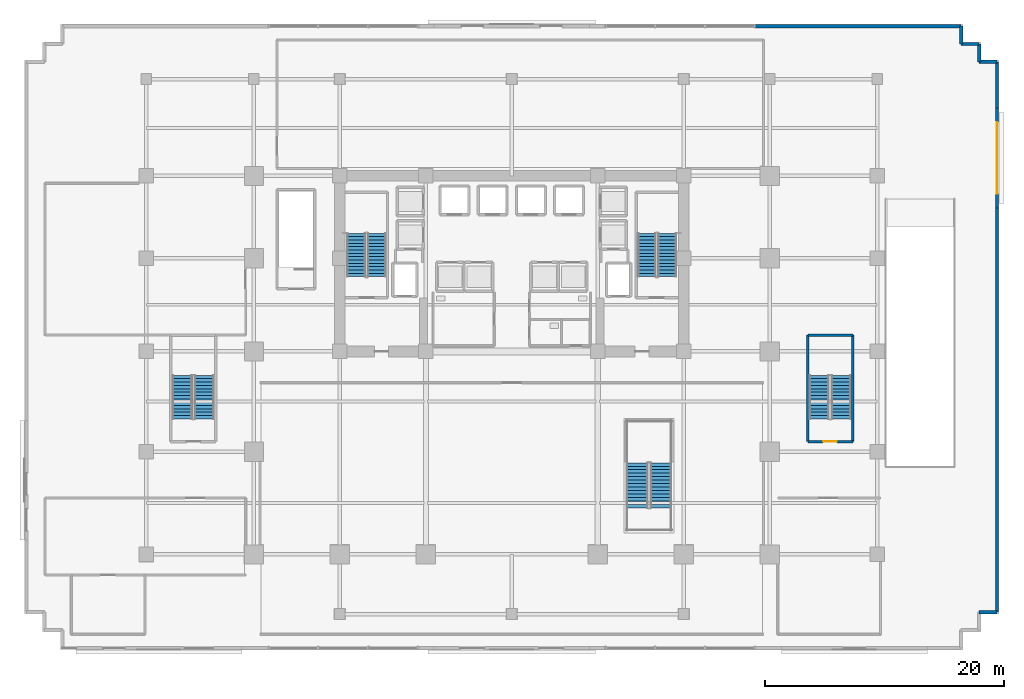
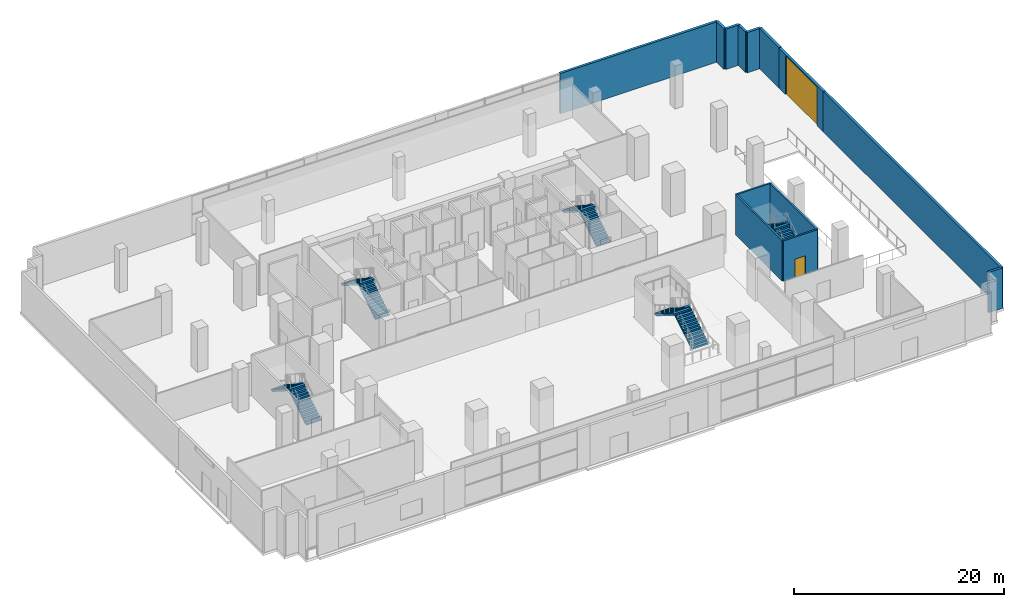
# One storey, part 17 of 27: 13 walls, 10 stair flights, 2 doors, 2 openings, 5 elements without a shape of their own.
"""IFC4 building model written with IfcOpenShell, lengths in metres."""

from ifc_helpers import new_model, si_unit, direction, frame, frame_2d, origin, place, context, subcontext, project, spatial, polyline, rectangle, outline, extrude, source, transform, mapped, material, layer, layer_set, type_object, element, fill, aggregate, save


model = new_model("IFC4")

# Units and contexts
model_context = context("Model", 3, precision=1e-05, world=origin(), true_north=direction((0.0, 1.0)))
body_context = subcontext(model_context, "Body", "Model", "MODEL_VIEW")
ifc_project = project(units=[si_unit("LENGTHUNIT", "METRE"), si_unit("AREAUNIT", "SQUARE_METRE"), si_unit("VOLUMEUNIT", "CUBIC_METRE"), si_unit("PLANEANGLEUNIT", "RADIAN"), si_unit("MASSUNIT", "GRAM", prefix="KILO")], contexts=[model_context])

# Site, building, storey
site_placement = place(None, origin())
site = spatial("IfcSite", under=ifc_project, at=site_placement, CompositionType="ELEMENT")
building_placement = place(site_placement, origin())
building = spatial("IfcBuilding", under=site, at=building_placement, Name="Zarnakvel Exchange Tower", CompositionType="ELEMENT")
storey_placement = place(building_placement, origin())
storey = spatial("IfcBuildingStorey", under=building, at=storey_placement, Name="L00", CompositionType="ELEMENT", Elevation=0.0)

# Wall, opening, door
ifc_material_1 = material(Name="Precast concrete C40/50", Category="concrete")
ifc_layer_1 = layer(ifc_material_1, 0.280029296875)
ifc_layer_set_1 = layer_set([ifc_layer_1], Name="Precast concrete C40/50")
wall_type_1 = type_object("IfcWallType", Name="EW-01", PredefinedType="SOLIDWALL", material=ifc_layer_set_1)
wall_1_placement = place(storey_placement, frame((40.639892578125, 19.199951171875, 0.0), z_axis=(0.0, 0.0, 1.0), x_axis=(0.0, -1.0, 0.0)))
wall_1 = element("IfcWall", 1, at=wall_1_placement, inside=storey, type_object=wall_type_1, Name="L00 East Car-Park Ramp Portal Wall", PredefinedType="SOLIDWALL", context=body_context, shape_type="SweptSolid", body=[
    extrude(rectangle(XDim=8.39990234375, YDim=0.280029296875, at=frame_2d((4.199951171875, 0.0))), origin(), (0.0, 0.0, 1.0), 4.659912109375),
])
opening_1_placement = place(wall_1_placement, frame((1.199951171875, 0.0, 0.0)))
opening_1 = element("IfcOpeningElement", 2, at=opening_1_placement, cuts=wall_1, Name="Opening D-VG01", PredefinedType="OPENING", context=body_context, shape_type="SweptSolid", body=[
    extrude(rectangle(XDim=6.0, YDim=4.5, at=frame_2d((3.0, 2.25))), frame((0.0, 0.14990234375, 0.0), z_axis=(0.0, -1.0, 0.0), x_axis=(1.0, 0.0, 0.0)), (0.0, 0.0, 1.0), 0.300048828125),
])
ifc_material_2 = material(Name="Galvanised Steel S355", Category="steel")
door_type_1 = type_object("IfcDoorType", Name="VGT-01", OperationType="NOTDEFINED", PredefinedType="GATE", material=ifc_material_2)
shared_shape_1 = source(origin(), body_context, "Body", "SweptSolid", [
    extrude(rectangle(XDim=6.0, YDim=4.5, at=frame_2d((3.0, 2.25))), frame((0.0, 0.02490234375, 0.0), z_axis=(0.0, -1.0, 0.0), x_axis=(1.0, 0.0, 0.0)), (0.0, 0.0, 1.0), 0.050048828125),
])
door_1_placement = place(opening_1_placement, origin())
door_1 = element("IfcDoor", 3, at=door_1_placement, inside=storey, type_object=door_type_1, Name="L00 Car-Park Vehicle Roller Shutter Gate D-VG01", OperationType="ROLLINGUP", OverallHeight=4.5, OverallWidth=6.0, PredefinedType="GATE", context=body_context, shape_type="MappedRepresentation", body=[
    mapped(shared_shape_1, transform((0.0, 0.0, 0.0), x_axis=(1.0, 0.0, 0.0), y_axis=(0.0, 1.0, 0.0), z_axis=(0.0, 0.0, 1.0), scale=1.0)),
])
fill(opening_1, door_1)

# Walls
wall_2_placement = place(storey_placement, frame((37.639892578125, 26.0400390625, 0.0), z_axis=(0.0, 0.0, 1.0), x_axis=(-1.0, 0.0, 0.0)))
element("IfcWall", 4, at=wall_2_placement, inside=storey, type_object=wall_type_1, Name="L00 Exterior Precast Spandrel Wall EWC-L00-10 (EW-01)", PredefinedType="SOLIDWALL", context=body_context, shape_type="SweptSolid", body=[
    extrude(rectangle(XDim=17.3349609375, YDim=0.280029296875, at=frame_2d((8.66748046875, 0.0))), origin(), (0.0, 0.0, 1.0), 4.699951171875),
])
for number, where, z_axis, x_axis, name in (
    (5, (37.639892578125, 24.5400390625, 0.0), (0.0, 0.0, 1.0), (0.0, 1.0, 0.0), "L00 Exterior Precast Spandrel Wall EWC-L00-11 (EW-01)"),
    (6, (39.139892578125, 24.5400390625, 0.0), (0.0, 0.0, 1.0), (-1.0, 0.0, 0.0), "L00 Exterior Precast Spandrel Wall EWC-L00-12 (EW-01)"),
    (7, (39.139892578125, 23.0400390625, 0.0), (0.0, 0.0, 1.0), (0.0, 1.0, 0.0), "L00 Exterior Precast Spandrel Wall EWC-L00-13 (EW-01)"),
    (8, (40.639892578125, 23.0400390625, 0.0), (0.0, 0.0, 1.0), (-1.0, 0.0, 0.0), "L00 Exterior Precast Spandrel Wall EWC-L00-14 (EW-01)"),
):
    element("IfcWall", number, at=place(storey_placement, frame(where, z_axis=z_axis, x_axis=x_axis)), inside=storey, type_object=wall_type_1, Name=name, PredefinedType="SOLIDWALL", context=body_context, shape_type="SweptSolid", body=[
        extrude(rectangle(XDim=1.5, YDim=0.280029296875, at=frame_2d((0.75, 0.0))), origin(), (0.0, 0.0, 1.0), 4.699951171875),
    ])
wall_3_placement = place(storey_placement, frame((40.639892578125, 19.199951171875, 0.0), z_axis=(0.0, 0.0, 1.0), x_axis=(0.0, 1.0, 0.0)))
element("IfcWall", 9, at=wall_3_placement, inside=storey, type_object=wall_type_1, Name="L00 Exterior Precast Spandrel Wall EWC-L00-15 (EW-01)", PredefinedType="SOLIDWALL", context=body_context, shape_type="SweptSolid", body=[
    extrude(rectangle(XDim=3.840087890625, YDim=0.280029296875, at=frame_2d((1.919921875, 0.0))), origin(), (0.0, 0.0, 1.0), 4.699951171875),
])
wall_4_placement = place(storey_placement, frame((40.639892578125, -23.0400390625, 0.0), z_axis=(0.0, 0.0, 1.0), x_axis=(0.0, 1.0, 0.0)))
element("IfcWall", 10, at=wall_4_placement, inside=storey, type_object=wall_type_1, Name="L00 Exterior Precast Spandrel Wall EWC-L00-16 (EW-01)", PredefinedType="SOLIDWALL", context=body_context, shape_type="SweptSolid", body=[
    extrude(rectangle(XDim=33.840087890625, YDim=0.280029296875, at=frame_2d((16.919921875, 0.0))), origin(), (0.0, 0.0, 1.0), 4.699951171875),
])
wall_5_placement = place(storey_placement, frame((39.139892578125, -23.0400390625, 0.0), z_axis=(0.0, 0.0, 1.0), x_axis=(1.0, 0.0, 0.0)))
element("IfcWall", 11, at=wall_5_placement, inside=storey, type_object=wall_type_1, Name="L00 Exterior Precast Spandrel Wall EWC-L00-17 (EW-01)", PredefinedType="SOLIDWALL", context=body_context, shape_type="SweptSolid", body=[
    extrude(rectangle(XDim=1.5, YDim=0.280029296875, at=frame_2d((0.75, 0.0))), origin(), (0.0, 0.0, 1.0), 4.699951171875),
])

# Wall, opening, door
ifc_material_3 = material(Name="Concrete C40/50", Category="concrete")
ifc_layer_2 = layer(ifc_material_3, 0.199951171875)
ifc_layer_set_2 = layer_set([ifc_layer_2], Name="Concrete C40/50")
wall_type_2 = type_object("IfcWallType", Name="SW-02", PredefinedType="SOLIDWALL", material=ifc_layer_set_2)
wall_6_placement = place(storey_placement, frame((28.56005859375, -8.760009765625, 0.0), z_axis=(0.0, 0.0, 1.0), x_axis=(-1.0, 0.0, 0.0)))
wall_6 = element("IfcWall", 12, at=wall_6_placement, inside=storey, type_object=wall_type_2, Name="L00 Stairwell Core Wall PWALL-L00-026 (SW-02)", PredefinedType="SOLIDWALL", context=body_context, shape_type="SweptSolid", body=[
    extrude(rectangle(XDim=3.77001953125, YDim=0.199951171875, at=frame_2d((1.885009765625, 0.0))), origin(), (0.0, 0.0, 1.0), 4.699951171875),
])
opening_2_placement = place(wall_6_placement, frame((1.3349609375, 0.0, 0.0)))
opening_2 = element("IfcOpeningElement", 13, at=opening_2_placement, cuts=wall_6, Name="Opening D-L00-10", PredefinedType="OPENING", context=body_context, shape_type="SweptSolid", body=[
    extrude(rectangle(XDim=1.14990234375, YDim=2.14990234375, at=frame_2d((0.574951171875, 1.074951171875))), frame((0.0, 0.10986328125, 0.0), z_axis=(0.0, -1.0, 0.0), x_axis=(1.0, 0.0, 0.0)), (0.0, 0.0, 1.0), 0.219970703125),
])
ifc_material_4 = material(Name="Painted Galvanised Steel S355", Category="steel")
door_type_2 = type_object("IfcDoorType", Name="DT-04", OperationType="NOTDEFINED", PredefinedType="DOOR", material=ifc_material_4)
shared_shape_2 = source(origin(), body_context, "Body", "SweptSolid", [
    extrude(rectangle(XDim=1.14990234375, YDim=2.14990234375, at=frame_2d((0.574951171875, 1.074951171875))), frame((0.0, 0.02490234375, 0.0), z_axis=(0.0, -1.0, 0.0), x_axis=(1.0, 0.0, 0.0)), (0.0, 0.0, 1.0), 0.050048828125),
])
door_2_placement = place(opening_2_placement, origin())
door_2 = element("IfcDoor", 14, at=door_2_placement, inside=storey, type_object=door_type_2, Name="L00 Stairwell ST-04 Door D-L00-10", OperationType="SINGLE_SWING_RIGHT", OverallHeight=2.14990234375, OverallWidth=1.14990234375, PredefinedType="DOOR", context=body_context, shape_type="MappedRepresentation", body=[
    mapped(shared_shape_2, transform((0.0, 0.0, 0.0), x_axis=(1.0, 0.0, 0.0), y_axis=(0.0, 1.0, 0.0), z_axis=(0.0, 0.0, 1.0), scale=1.0)),
])
fill(opening_2, door_2)

# Walls
wall_7_placement = place(storey_placement, frame((24.7900390625, 0.159912109375, 0.0), z_axis=(0.0, 0.0, 1.0), x_axis=(1.0, 0.0, 0.0)))
element("IfcWall", 15, at=wall_7_placement, inside=storey, type_object=wall_type_2, Name="L00 Stairwell Core Wall PWALL-L00-027 (SW-02)", PredefinedType="SOLIDWALL", context=body_context, shape_type="SweptSolid", body=[
    extrude(rectangle(XDim=3.77001953125, YDim=0.199951171875, at=frame_2d((1.885009765625, 0.0))), origin(), (0.0, 0.0, 1.0), 4.699951171875),
])
for number, where, z_axis, x_axis, name in (
    (16, (24.7900390625, -8.760009765625, 0.0), (0.0, 0.0, 1.0), (0.0, 1.0, 0.0), "L00 Stairwell Core Wall PWALL-L00-028 (SW-02)"),
    (17, (28.56005859375, 0.159912109375, 0.0), (0.0, 0.0, 1.0), (0.0, -1.0, 0.0), "L00 Stairwell Core Wall PWALL-L00-029 (SW-02)"),
):
    element("IfcWall", number, at=place(storey_placement, frame(where, z_axis=z_axis, x_axis=x_axis)), inside=storey, type_object=wall_type_2, Name=name, PredefinedType="SOLIDWALL", context=body_context, shape_type="SweptSolid", body=[
        extrude(rectangle(XDim=8.919921875, YDim=0.199951171875, at=frame_2d((4.4599609375, 0.0))), origin(), (0.0, 0.0, 1.0), 4.699951171875),
    ])

# Stair, stair flights
stair_type_1 = type_object("IfcStairType", Name="STR-01", PredefinedType="HALF_TURN_STAIR", material=ifc_material_3)
stair_1_placement = place(storey_placement, origin())
stair_1 = element("IfcStair", 18, at=stair_1_placement, inside=storey, type_object=stair_type_1, Name="L00 Protected Core Exit Stair ST-01", PredefinedType="HALF_TURN_STAIR")
stair_flight_type_1 = type_object("IfcStairFlightType", Name="FLT-01", PredefinedType="STRAIGHT", material=ifc_material_3)
stair_flight_1_placement = place(storey_placement, frame((-11.31494140625, 5.050048828125, 0.0), z_axis=(0.0, 0.0, 1.0), x_axis=(0.0, 1.0, 0.0)))
stair_flight_1 = element("IfcStairFlight", 19, at=stair_flight_1_placement, type_object=stair_flight_type_1, Name="ST-01 flight 1", NumberOfRisers=14, NumberOfTreads=13, PredefinedType="STRAIGHT", RiserHeight=0.178571429, TreadLength=0.28, context=body_context, shape_type="SweptSolid", body=[
    extrude(outline(polyline([(0.0, 0.0), (0.0, 0.178466796875), (0.280029296875, 0.178466796875), (0.280029296875, 0.357177734375), (0.56005859375, 0.357177734375), (0.56005859375, 0.53564453125), (0.840087890625, 0.53564453125), (0.840087890625, 0.71435546875), (1.1201171875, 0.71435546875), (1.1201171875, 0.892822265625), (1.39990234375, 0.892822265625), (1.39990234375, 1.071533203125), (1.679931640625, 1.071533203125), (1.679931640625, 1.25), (1.9599609375, 1.25), (1.9599609375, 1.428466796875), (2.239990234375, 1.428466796875), (2.239990234375, 1.607177734375), (2.52001953125, 1.607177734375), (2.52001953125, 1.78564453125), (2.800048828125, 1.78564453125), (2.800048828125, 1.96435546875), (3.080078125, 1.96435546875), (3.080078125, 2.142822265625), (3.360107421875, 2.142822265625), (3.360107421875, 2.321533203125), (3.639892578125, 2.321533203125), (3.639892578125, 2.5), (3.639892578125, 2.1435546875), (0.27880859375, 0.0), (0.0, 0.0)])), frame((0.0, 0.77490234375, 0.0), z_axis=(0.0, -1.0, 0.0), x_axis=(1.0, 0.0, 0.0)), (0.0, 0.0, 1.0), 1.550048828125),
])
stair_flight_2_placement = place(storey_placement, frame((-13.02490234375, 8.68994140625, 2.5), z_axis=(0.0, 0.0, 1.0), x_axis=(0.0, -1.0, 0.0)))
stair_flight_2 = element("IfcStairFlight", 20, at=stair_flight_2_placement, type_object=stair_flight_type_1, Name="ST-01 flight 2", NumberOfRisers=14, NumberOfTreads=13, PredefinedType="STRAIGHT", RiserHeight=0.178571429, TreadLength=0.28, context=body_context, shape_type="SweptSolid", body=[
    extrude(outline(polyline([(0.0, 0.0), (0.0, 0.178466796875), (0.280029296875, 0.178466796875), (0.280029296875, 0.357177734375), (0.56005859375, 0.357177734375), (0.56005859375, 0.53564453125), (0.840087890625, 0.53564453125), (0.840087890625, 0.71435546875), (1.1201171875, 0.71435546875), (1.1201171875, 0.892822265625), (1.39990234375, 0.892822265625), (1.39990234375, 1.071533203125), (1.679931640625, 1.071533203125), (1.679931640625, 1.25), (1.9599609375, 1.25), (1.9599609375, 1.428466796875), (2.239990234375, 1.428466796875), (2.239990234375, 1.607177734375), (2.52001953125, 1.607177734375), (2.52001953125, 1.78564453125), (2.800048828125, 1.78564453125), (2.800048828125, 1.96435546875), (3.080078125, 1.96435546875), (3.080078125, 2.142822265625), (3.360107421875, 2.142822265625), (3.360107421875, 2.321533203125), (3.639892578125, 2.321533203125), (3.639892578125, 2.5), (3.639892578125, 2.1435546875), (0.27880859375, 0.0), (0.0, 0.0)])), frame((0.0, 0.77490234375, 0.0), z_axis=(0.0, -1.0, 0.0), x_axis=(1.0, 0.0, 0.0)), (0.0, 0.0, 1.0), 1.550048828125),
])
aggregate(stair_1, [stair_flight_1, stair_flight_2])

stair_2_placement = place(storey_placement, origin())
stair_2 = element("IfcStair", 21, at=stair_2_placement, inside=storey, type_object=stair_type_1, Name="L00 Protected Core Exit Stair ST-02", PredefinedType="HALF_TURN_STAIR")
stair_flight_3_placement = place(storey_placement, frame((13.02490234375, 5.050048828125, 0.0), z_axis=(0.0, 0.0, 1.0), x_axis=(0.0, 1.0, 0.0)))
stair_flight_3 = element("IfcStairFlight", 22, at=stair_flight_3_placement, type_object=stair_flight_type_1, Name="ST-02 flight 1", NumberOfRisers=14, NumberOfTreads=13, PredefinedType="STRAIGHT", RiserHeight=0.178571429, TreadLength=0.28, context=body_context, shape_type="SweptSolid", body=[
    extrude(outline(polyline([(0.0, 0.0), (0.0, 0.178466796875), (0.280029296875, 0.178466796875), (0.280029296875, 0.357177734375), (0.56005859375, 0.357177734375), (0.56005859375, 0.53564453125), (0.840087890625, 0.53564453125), (0.840087890625, 0.71435546875), (1.1201171875, 0.71435546875), (1.1201171875, 0.892822265625), (1.39990234375, 0.892822265625), (1.39990234375, 1.071533203125), (1.679931640625, 1.071533203125), (1.679931640625, 1.25), (1.9599609375, 1.25), (1.9599609375, 1.428466796875), (2.239990234375, 1.428466796875), (2.239990234375, 1.607177734375), (2.52001953125, 1.607177734375), (2.52001953125, 1.78564453125), (2.800048828125, 1.78564453125), (2.800048828125, 1.96435546875), (3.080078125, 1.96435546875), (3.080078125, 2.142822265625), (3.360107421875, 2.142822265625), (3.360107421875, 2.321533203125), (3.639892578125, 2.321533203125), (3.639892578125, 2.5), (3.639892578125, 2.1435546875), (0.27880859375, 0.0), (0.0, 0.0)])), frame((0.0, 0.77490234375, 0.0), z_axis=(0.0, -1.0, 0.0), x_axis=(1.0, 0.0, 0.0)), (0.0, 0.0, 1.0), 1.550048828125),
])
stair_flight_4_placement = place(storey_placement, frame((11.31494140625, 8.68994140625, 2.5), z_axis=(0.0, 0.0, 1.0), x_axis=(0.0, -1.0, 0.0)))
stair_flight_4 = element("IfcStairFlight", 23, at=stair_flight_4_placement, type_object=stair_flight_type_1, Name="ST-02 flight 2", NumberOfRisers=14, NumberOfTreads=13, PredefinedType="STRAIGHT", RiserHeight=0.178571429, TreadLength=0.28, context=body_context, shape_type="SweptSolid", body=[
    extrude(outline(polyline([(0.0, 0.0), (0.0, 0.178466796875), (0.280029296875, 0.178466796875), (0.280029296875, 0.357177734375), (0.56005859375, 0.357177734375), (0.56005859375, 0.53564453125), (0.840087890625, 0.53564453125), (0.840087890625, 0.71435546875), (1.1201171875, 0.71435546875), (1.1201171875, 0.892822265625), (1.39990234375, 0.892822265625), (1.39990234375, 1.071533203125), (1.679931640625, 1.071533203125), (1.679931640625, 1.25), (1.9599609375, 1.25), (1.9599609375, 1.428466796875), (2.239990234375, 1.428466796875), (2.239990234375, 1.607177734375), (2.52001953125, 1.607177734375), (2.52001953125, 1.78564453125), (2.800048828125, 1.78564453125), (2.800048828125, 1.96435546875), (3.080078125, 1.96435546875), (3.080078125, 2.142822265625), (3.360107421875, 2.142822265625), (3.360107421875, 2.321533203125), (3.639892578125, 2.321533203125), (3.639892578125, 2.5), (3.639892578125, 2.1435546875), (0.27880859375, 0.0), (0.0, 0.0)])), frame((0.0, 0.77490234375, 0.0), z_axis=(0.0, -1.0, 0.0), x_axis=(1.0, 0.0, 0.0)), (0.0, 0.0, 1.0), 1.550048828125),
])
aggregate(stair_2, [stair_flight_3, stair_flight_4])

stair_type_2 = type_object("IfcStairType", Name="STR-02", PredefinedType="HALF_TURN_STAIR", material=ifc_material_3)
stair_3_placement = place(storey_placement, origin())
stair_3 = element("IfcStair", 24, at=stair_3_placement, inside=storey, type_object=stair_type_2, Name="L00 Podium West Exit Stair ST-03", PredefinedType="HALF_TURN_STAIR")
stair_flight_type_2 = type_object("IfcStairFlightType", Name="FLT-02", PredefinedType="STRAIGHT", material=ifc_material_3)
stair_flight_5_placement = place(storey_placement, frame((-25.764892578125, -6.85009765625, 0.0), z_axis=(0.0, 0.0, 1.0), x_axis=(0.0, 1.0, 0.0)))
stair_flight_5 = element("IfcStairFlight", 25, at=stair_flight_5_placement, type_object=stair_flight_type_2, Name="ST-03 flight 1", NumberOfRisers=14, NumberOfTreads=13, PredefinedType="STRAIGHT", RiserHeight=0.178571429, TreadLength=0.28, context=body_context, shape_type="SweptSolid", body=[
    extrude(outline(polyline([(0.0, 0.0), (0.0, 0.178466796875), (0.280029296875, 0.178466796875), (0.280029296875, 0.357177734375), (0.56005859375, 0.357177734375), (0.56005859375, 0.53564453125), (0.840087890625, 0.53564453125), (0.840087890625, 0.71435546875), (1.1201171875, 0.71435546875), (1.1201171875, 0.892822265625), (1.39990234375, 0.892822265625), (1.39990234375, 1.071533203125), (1.679931640625, 1.071533203125), (1.679931640625, 1.25), (1.9599609375, 1.25), (1.9599609375, 1.428466796875), (2.239990234375, 1.428466796875), (2.239990234375, 1.607177734375), (2.52001953125, 1.607177734375), (2.52001953125, 1.78564453125), (2.800048828125, 1.78564453125), (2.800048828125, 1.96435546875), (3.080078125, 1.96435546875), (3.080078125, 2.142822265625), (3.360107421875, 2.142822265625), (3.360107421875, 2.321533203125), (3.639892578125, 2.321533203125), (3.639892578125, 2.5), (3.639892578125, 2.1435546875), (0.27880859375, 0.0), (0.0, 0.0)])), frame((0.0, 0.824951171875, 0.0), z_axis=(0.0, -1.0, 0.0), x_axis=(1.0, 0.0, 0.0)), (0.0, 0.0, 1.0), 1.64990234375),
])
stair_flight_6_placement = place(storey_placement, frame((-27.574951171875, -3.2099609375, 2.5), z_axis=(0.0, 0.0, 1.0), x_axis=(0.0, -1.0, 0.0)))
stair_flight_6 = element("IfcStairFlight", 26, at=stair_flight_6_placement, type_object=stair_flight_type_2, Name="ST-03 flight 2", NumberOfRisers=14, NumberOfTreads=13, PredefinedType="STRAIGHT", RiserHeight=0.178571429, TreadLength=0.28, context=body_context, shape_type="SweptSolid", body=[
    extrude(outline(polyline([(0.0, 0.0), (0.0, 0.178466796875), (0.280029296875, 0.178466796875), (0.280029296875, 0.357177734375), (0.56005859375, 0.357177734375), (0.56005859375, 0.53564453125), (0.840087890625, 0.53564453125), (0.840087890625, 0.71435546875), (1.1201171875, 0.71435546875), (1.1201171875, 0.892822265625), (1.39990234375, 0.892822265625), (1.39990234375, 1.071533203125), (1.679931640625, 1.071533203125), (1.679931640625, 1.25), (1.9599609375, 1.25), (1.9599609375, 1.428466796875), (2.239990234375, 1.428466796875), (2.239990234375, 1.607177734375), (2.52001953125, 1.607177734375), (2.52001953125, 1.78564453125), (2.800048828125, 1.78564453125), (2.800048828125, 1.96435546875), (3.080078125, 1.96435546875), (3.080078125, 2.142822265625), (3.360107421875, 2.142822265625), (3.360107421875, 2.321533203125), (3.639892578125, 2.321533203125), (3.639892578125, 2.5), (3.639892578125, 2.1435546875), (0.27880859375, 0.0), (0.0, 0.0)])), frame((0.0, 0.824951171875, 0.0), z_axis=(0.0, -1.0, 0.0), x_axis=(1.0, 0.0, 0.0)), (0.0, 0.0, 1.0), 1.64990234375),
])
aggregate(stair_3, [stair_flight_5, stair_flight_6])

stair_4_placement = place(storey_placement, origin())
stair_4 = element("IfcStair", 27, at=stair_4_placement, inside=storey, type_object=stair_type_2, Name="L00 Podium East Exit Stair ST-04", PredefinedType="HALF_TURN_STAIR")
stair_flight_7_placement = place(storey_placement, frame((27.574951171875, -6.85009765625, 0.0), z_axis=(0.0, 0.0, 1.0), x_axis=(0.0, 1.0, 0.0)))
stair_flight_7 = element("IfcStairFlight", 28, at=stair_flight_7_placement, type_object=stair_flight_type_2, Name="ST-04 flight 1", NumberOfRisers=14, NumberOfTreads=13, PredefinedType="STRAIGHT", RiserHeight=0.178571429, TreadLength=0.28, context=body_context, shape_type="SweptSolid", body=[
    extrude(outline(polyline([(0.0, 0.0), (0.0, 0.178466796875), (0.280029296875, 0.178466796875), (0.280029296875, 0.357177734375), (0.56005859375, 0.357177734375), (0.56005859375, 0.53564453125), (0.840087890625, 0.53564453125), (0.840087890625, 0.71435546875), (1.1201171875, 0.71435546875), (1.1201171875, 0.892822265625), (1.39990234375, 0.892822265625), (1.39990234375, 1.071533203125), (1.679931640625, 1.071533203125), (1.679931640625, 1.25), (1.9599609375, 1.25), (1.9599609375, 1.428466796875), (2.239990234375, 1.428466796875), (2.239990234375, 1.607177734375), (2.52001953125, 1.607177734375), (2.52001953125, 1.78564453125), (2.800048828125, 1.78564453125), (2.800048828125, 1.96435546875), (3.080078125, 1.96435546875), (3.080078125, 2.142822265625), (3.360107421875, 2.142822265625), (3.360107421875, 2.321533203125), (3.639892578125, 2.321533203125), (3.639892578125, 2.5), (3.639892578125, 2.1435546875), (0.27880859375, 0.0), (0.0, 0.0)])), frame((0.0, 0.824951171875, 0.0), z_axis=(0.0, -1.0, 0.0), x_axis=(1.0, 0.0, 0.0)), (0.0, 0.0, 1.0), 1.64990234375),
])
stair_flight_8_placement = place(storey_placement, frame((25.764892578125, -3.2099609375, 2.5), z_axis=(0.0, 0.0, 1.0), x_axis=(0.0, -1.0, 0.0)))
stair_flight_8 = element("IfcStairFlight", 29, at=stair_flight_8_placement, type_object=stair_flight_type_2, Name="ST-04 flight 2", NumberOfRisers=14, NumberOfTreads=13, PredefinedType="STRAIGHT", RiserHeight=0.178571429, TreadLength=0.28, context=body_context, shape_type="SweptSolid", body=[
    extrude(outline(polyline([(0.0, 0.0), (0.0, 0.178466796875), (0.280029296875, 0.178466796875), (0.280029296875, 0.357177734375), (0.56005859375, 0.357177734375), (0.56005859375, 0.53564453125), (0.840087890625, 0.53564453125), (0.840087890625, 0.71435546875), (1.1201171875, 0.71435546875), (1.1201171875, 0.892822265625), (1.39990234375, 0.892822265625), (1.39990234375, 1.071533203125), (1.679931640625, 1.071533203125), (1.679931640625, 1.25), (1.9599609375, 1.25), (1.9599609375, 1.428466796875), (2.239990234375, 1.428466796875), (2.239990234375, 1.607177734375), (2.52001953125, 1.607177734375), (2.52001953125, 1.78564453125), (2.800048828125, 1.78564453125), (2.800048828125, 1.96435546875), (3.080078125, 1.96435546875), (3.080078125, 2.142822265625), (3.360107421875, 2.142822265625), (3.360107421875, 2.321533203125), (3.639892578125, 2.321533203125), (3.639892578125, 2.5), (3.639892578125, 2.1435546875), (0.27880859375, 0.0), (0.0, 0.0)])), frame((0.0, 0.824951171875, 0.0), z_axis=(0.0, -1.0, 0.0), x_axis=(1.0, 0.0, 0.0)), (0.0, 0.0, 1.0), 1.64990234375),
])
aggregate(stair_4, [stair_flight_7, stair_flight_8])

stair_type_3 = type_object("IfcStairType", Name="STR-04", PredefinedType="HALF_TURN_STAIR", material=ifc_material_3)
stair_5_placement = place(storey_placement, origin())
stair_5 = element("IfcStair", 30, at=stair_5_placement, inside=storey, type_object=stair_type_3, Name="L00 Exchange Concourse Atrium Feature Stair ST-06", PredefinedType="HALF_TURN_STAIR")
stair_flight_type_3 = type_object("IfcStairFlightType", Name="FLT-04", PredefinedType="STRAIGHT", material=ifc_material_3)
stair_flight_9_placement = place(storey_placement, frame((12.5, -14.300048828125, 0.0), z_axis=(0.0, 0.0, 1.0), x_axis=(0.0, 1.0, 0.0)))
stair_flight_9 = element("IfcStairFlight", 31, at=stair_flight_9_placement, type_object=stair_flight_type_3, Name="ST-06 flight 1", NumberOfRisers=14, NumberOfTreads=13, PredefinedType="STRAIGHT", RiserHeight=0.178571429, TreadLength=0.29, context=body_context, shape_type="SweptSolid", body=[
    extrude(outline(polyline([(0.0, 0.0), (0.0, 0.178466796875), (0.2900390625, 0.178466796875), (0.2900390625, 0.357177734375), (0.580078125, 0.357177734375), (0.580078125, 0.53564453125), (0.8701171875, 0.53564453125), (0.8701171875, 0.71435546875), (1.159912109375, 0.71435546875), (1.159912109375, 0.892822265625), (1.449951171875, 0.892822265625), (1.449951171875, 1.071533203125), (1.739990234375, 1.071533203125), (1.739990234375, 1.25), (2.030029296875, 1.25), (2.030029296875, 1.428466796875), (2.320068359375, 1.428466796875), (2.320068359375, 1.607177734375), (2.610107421875, 1.607177734375), (2.610107421875, 1.78564453125), (2.89990234375, 1.78564453125), (2.89990234375, 1.96435546875), (3.18994140625, 1.96435546875), (3.18994140625, 2.142822265625), (3.47998046875, 2.142822265625), (3.47998046875, 2.321533203125), (3.77001953125, 2.321533203125), (3.77001953125, 2.5), (3.77001953125, 2.1455078125), (0.285888671875, 0.0), (0.0, 0.0)])), frame((0.0, 0.89990234375, 0.0), z_axis=(0.0, -1.0, 0.0), x_axis=(1.0, 0.0, 0.0)), (0.0, 0.0, 1.0), 1.800048828125),
])
stair_flight_10_placement = place(storey_placement, frame((10.5, -10.530029296875, 2.5), z_axis=(0.0, 0.0, 1.0), x_axis=(0.0, -1.0, 0.0)))
stair_flight_10 = element("IfcStairFlight", 32, at=stair_flight_10_placement, type_object=stair_flight_type_3, Name="ST-06 flight 2", NumberOfRisers=14, NumberOfTreads=13, PredefinedType="STRAIGHT", RiserHeight=0.178571429, TreadLength=0.29, context=body_context, shape_type="SweptSolid", body=[
    extrude(outline(polyline([(0.0, 0.0), (0.0, 0.178466796875), (0.2900390625, 0.178466796875), (0.2900390625, 0.357177734375), (0.580078125, 0.357177734375), (0.580078125, 0.53564453125), (0.8701171875, 0.53564453125), (0.8701171875, 0.71435546875), (1.159912109375, 0.71435546875), (1.159912109375, 0.892822265625), (1.449951171875, 0.892822265625), (1.449951171875, 1.071533203125), (1.739990234375, 1.071533203125), (1.739990234375, 1.25), (2.030029296875, 1.25), (2.030029296875, 1.428466796875), (2.320068359375, 1.428466796875), (2.320068359375, 1.607177734375), (2.610107421875, 1.607177734375), (2.610107421875, 1.78564453125), (2.89990234375, 1.78564453125), (2.89990234375, 1.96435546875), (3.18994140625, 1.96435546875), (3.18994140625, 2.142822265625), (3.47998046875, 2.142822265625), (3.47998046875, 2.321533203125), (3.77001953125, 2.321533203125), (3.77001953125, 2.5), (3.77001953125, 2.1455078125), (0.285888671875, 0.0), (0.0, 0.0)])), frame((0.0, 0.89990234375, 0.0), z_axis=(0.0, -1.0, 0.0), x_axis=(1.0, 0.0, 0.0)), (0.0, 0.0, 1.0), 1.800048828125),
])
aggregate(stair_5, [stair_flight_9, stair_flight_10])

save(model, "model.ifc")
